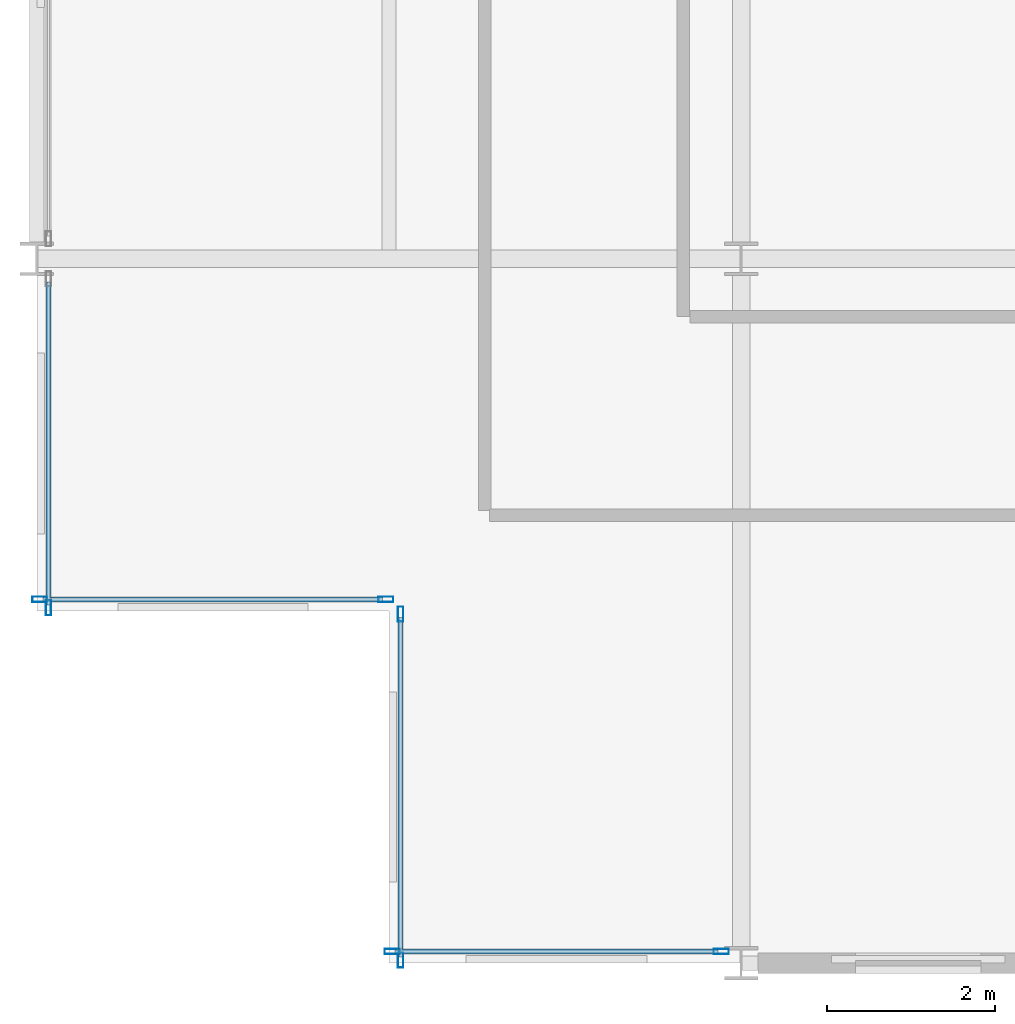
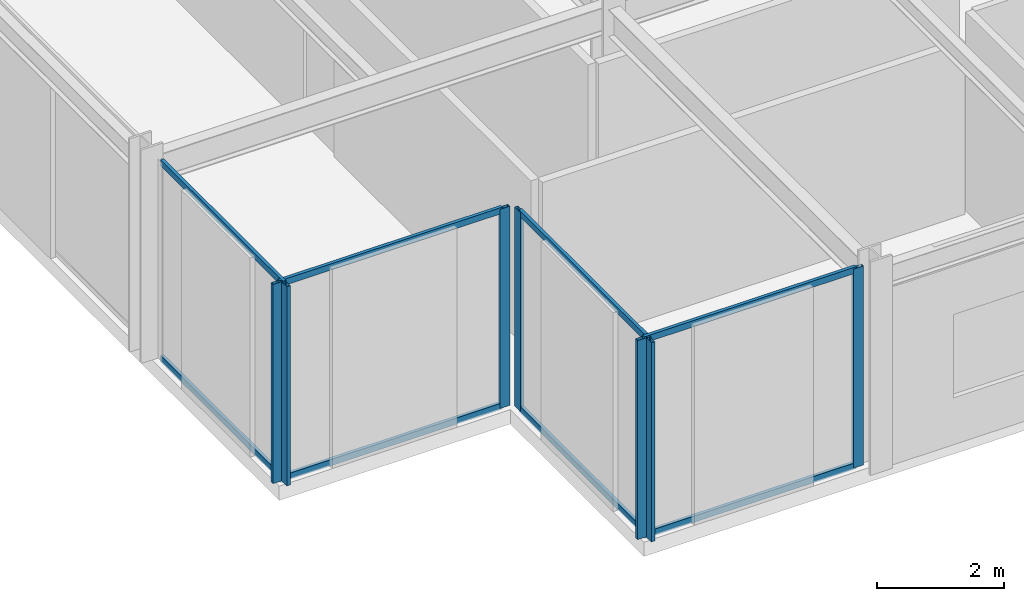
# One storey, part 2 of 29: 15 members, 4 elements without a shape of their own.
"""IFC4 building model written with IfcOpenShell, lengths in metres."""

from ifc_helpers import new_model, si_unit, direction, frame, origin, origin_2d, place, context, subcontext, project, spatial, hollow_rectangle, extrude, material, layer, layer_set, material_profile, profile_set, type_object, element, aggregate, save


model = new_model("IFC4")

# Units and contexts
model_context = context("Model", 3, precision=1e-05, world=origin(), true_north=direction((0.0, 1.0)))
body_context = subcontext(model_context, "Body", "Model", "MODEL_VIEW")
ifc_project = project(units=[si_unit("LENGTHUNIT", "METRE"), si_unit("AREAUNIT", "SQUARE_METRE"), si_unit("VOLUMEUNIT", "CUBIC_METRE"), si_unit("PLANEANGLEUNIT", "RADIAN"), si_unit("MASSUNIT", "GRAM", prefix="KILO")], contexts=[model_context])

# Site, building, storey
site_placement = place(None, origin())
site = spatial("IfcSite", under=ifc_project, at=site_placement, CompositionType="ELEMENT")
building_placement = place(site_placement, origin())
building = spatial("IfcBuilding", under=site, at=building_placement, Name="Nerrivon Quay Data Exchange", CompositionType="ELEMENT")
storey_placement = place(building_placement, frame((0.0, 0.0, 125.39990234375)))
storey = spatial("IfcBuildingStorey", under=building, at=storey_placement, Name="L29", CompositionType="ELEMENT", Elevation=125.39990234375)

# Curtain wall, members
ifc_material = material(Name="Anodised aluminium 6063-T6", Category="aluminium")
ifc_layer = layer(ifc_material, 0.2099609375)
ifc_layer_set = layer_set([ifc_layer], Name="Anodised aluminium 6063-T6")
curtain_wall_type = type_object("IfcCurtainWallType", Name="CW-SYS-02", PredefinedType="NOTDEFINED", material=ifc_layer_set)
curtain_wall_1_placement = place(storey_placement, origin())
curtain_wall_1 = element("IfcCurtainWall", 1, at=curtain_wall_1_placement, inside=storey, type_object=curtain_wall_type, Name="L29 Unitised Curtain Wall 8", PredefinedType="NOTDEFINED")
ifc_material_profile_1 = material_profile(ifc_material, hollow_rectangle(XDim=0.06494140625, YDim=0.179931640625, WallThickness=0.00341796875, at=origin_2d()), Name="ALU-MULL-180x65")
ifc_profile_set_1 = profile_set([ifc_material_profile_1], Name="Anodised aluminium 6063-T6")
member_type_1 = type_object("IfcMemberType", Name="CWM-180x65", PredefinedType="MULLION", material=ifc_profile_set_1)
member_1_placement = place(storey_placement, frame((8.16259765625, 0.139892578125, 0.0), z_axis=(0.0, 0.0, 1.0), x_axis=(0.0, -1.0, 0.0)))
member_1 = element("IfcMember", 2, at=member_1_placement, type_object=member_type_1, Name="CW02 mullion 1", PredefinedType="MULLION", context=body_context, shape_type="SweptSolid", body=[
    extrude(hollow_rectangle(XDim=0.06494140625, YDim=0.179931640625, WallThickness=0.00341796875, at=origin_2d()), origin(), (0.0, 0.0, 1.0), 3.8251953125),
])
member_2_placement = place(storey_placement, frame((4.237548828125, 0.139892578125, 0.0), z_axis=(0.0, 0.0, 1.0), x_axis=(0.0, -1.0, 0.0)))
member_2 = element("IfcMember", 3, at=member_2_placement, type_object=member_type_1, Name="CW02 mullion 2", PredefinedType="MULLION", context=body_context, shape_type="SweptSolid", body=[
    extrude(hollow_rectangle(XDim=0.06494140625, YDim=0.179931640625, WallThickness=0.00341796875, at=origin_2d()), origin(), (0.0, 0.0, 1.0), 3.8251953125),
])

curtain_wall_2_placement = place(storey_placement, origin())
curtain_wall_2 = element("IfcCurtainWall", 4, at=curtain_wall_2_placement, inside=storey, type_object=curtain_wall_type, Name="L29 Unitised Curtain Wall 9", PredefinedType="NOTDEFINED")
member_3_placement = place(storey_placement, frame((4.340087890625, 0.03759765625, 0.0), z_axis=(0.0, 0.0, 1.0), x_axis=(-1.0, 0.0, 0.0)))
member_3 = element("IfcMember", 5, at=member_3_placement, type_object=member_type_1, Name="CW02 mullion 1", PredefinedType="MULLION", context=body_context, shape_type="SweptSolid", body=[
    extrude(hollow_rectangle(XDim=0.06494140625, YDim=0.179931640625, WallThickness=0.00341796875, at=origin_2d()), origin(), (0.0, 0.0, 1.0), 3.8251953125),
])
member_4_placement = place(storey_placement, frame((4.340087890625, 4.16259765625, 0.0), z_axis=(0.0, 0.0, 1.0), x_axis=(-1.0, 0.0, 0.0)))
member_4 = element("IfcMember", 6, at=member_4_placement, type_object=member_type_1, Name="CW02 mullion 2", PredefinedType="MULLION", context=body_context, shape_type="SweptSolid", body=[
    extrude(hollow_rectangle(XDim=0.06494140625, YDim=0.179931640625, WallThickness=0.00341796875, at=origin_2d()), origin(), (0.0, 0.0, 1.0), 3.8251953125),
])

curtain_wall_3_placement = place(storey_placement, origin())
curtain_wall_3 = element("IfcCurtainWall", 7, at=curtain_wall_3_placement, inside=storey, type_object=curtain_wall_type, Name="L29 Unitised Curtain Wall 10", PredefinedType="NOTDEFINED")
member_5_placement = place(storey_placement, frame((4.16259765625, 4.340087890625, 0.0), z_axis=(0.0, 0.0, 1.0), x_axis=(0.0, -1.0, 0.0)))
member_5 = element("IfcMember", 8, at=member_5_placement, type_object=member_type_1, Name="CW02 mullion 1", PredefinedType="MULLION", context=body_context, shape_type="SweptSolid", body=[
    extrude(hollow_rectangle(XDim=0.06494140625, YDim=0.179931640625, WallThickness=0.00341796875, at=origin_2d()), origin(), (0.0, 0.0, 1.0), 3.8251953125),
])
member_6_placement = place(storey_placement, frame((0.03759765625, 4.340087890625, 0.0), z_axis=(0.0, 0.0, 1.0), x_axis=(0.0, -1.0, 0.0)))
member_6 = element("IfcMember", 9, at=member_6_placement, type_object=member_type_1, Name="CW02 mullion 2", PredefinedType="MULLION", context=body_context, shape_type="SweptSolid", body=[
    extrude(hollow_rectangle(XDim=0.06494140625, YDim=0.179931640625, WallThickness=0.00341796875, at=origin_2d()), origin(), (0.0, 0.0, 1.0), 3.8251953125),
])

# Curtain wall, member
curtain_wall_4_placement = place(storey_placement, origin())
curtain_wall_4 = element("IfcCurtainWall", 10, at=curtain_wall_4_placement, inside=storey, type_object=curtain_wall_type, Name="L29 Unitised Curtain Wall 11", PredefinedType="NOTDEFINED")
member_7_placement = place(storey_placement, frame((0.139892578125, 4.237548828125, 0.0), z_axis=(0.0, 0.0, 1.0), x_axis=(-1.0, 0.0, 0.0)))
member_7 = element("IfcMember", 11, at=member_7_placement, type_object=member_type_1, Name="CW02 mullion 1", PredefinedType="MULLION", context=body_context, shape_type="SweptSolid", body=[
    extrude(hollow_rectangle(XDim=0.06494140625, YDim=0.179931640625, WallThickness=0.00341796875, at=origin_2d()), origin(), (0.0, 0.0, 1.0), 3.8251953125),
])

# Member
ifc_material_profile_2 = material_profile(ifc_material, hollow_rectangle(XDim=0.06005859375, YDim=0.1201171875, WallThickness=0.003173828125, at=origin_2d()), Name="ALU-TRAN-120x60")
ifc_profile_set_2 = profile_set([ifc_material_profile_2], Name="Anodised aluminium 6063-T6")
member_type_2 = type_object("IfcMemberType", Name="CWT-120x60", PredefinedType="USERDEFINED", material=ifc_profile_set_2)
member_8_placement = place(storey_placement, frame((8.125, 0.139892578125, 0.03271484375), z_axis=(-1.0, 0.0, 0.0), x_axis=(0.0, -1.0, 0.0)))
member_8 = element("IfcMember", 12, at=member_8_placement, type_object=member_type_2, Name="CW02 transom 1.1", ObjectType="TRANSOM", PredefinedType="USERDEFINED", context=body_context, shape_type="SweptSolid", body=[
    extrude(hollow_rectangle(XDim=0.06005859375, YDim=0.1201171875, WallThickness=0.003173828125, at=origin_2d()), origin(), (0.0, 0.0, 1.0), 3.85009765625),
])

member_9_placement = place(storey_placement, frame((8.125, 0.139892578125, 3.79248046875), z_axis=(-1.0, 0.0, 0.0), x_axis=(0.0, -1.0, 0.0)))
member_9 = element("IfcMember", 13, at=member_9_placement, type_object=member_type_2, Name="CW02 transom 1.2", ObjectType="TRANSOM", PredefinedType="USERDEFINED", context=body_context, shape_type="SweptSolid", body=[
    extrude(hollow_rectangle(XDim=0.06005859375, YDim=0.1201171875, WallThickness=0.003173828125, at=origin_2d()), origin(), (0.0, 0.0, 1.0), 3.85009765625),
])

aggregate(curtain_wall_1, [member_1, member_2, member_8, member_9])

member_10_placement = place(storey_placement, frame((4.340087890625, 0.074951171875, 0.03271484375), z_axis=(0.0, 1.0, 0.0), x_axis=(-1.0, 0.0, 0.0)))
member_10 = element("IfcMember", 14, at=member_10_placement, type_object=member_type_2, Name="CW02 transom 1.1", ObjectType="TRANSOM", PredefinedType="USERDEFINED", context=body_context, shape_type="SweptSolid", body=[
    extrude(hollow_rectangle(XDim=0.06005859375, YDim=0.1201171875, WallThickness=0.003173828125, at=origin_2d()), origin(), (0.0, 0.0, 1.0), 4.050048828125),
])

member_11_placement = place(storey_placement, frame((4.340087890625, 0.074951171875, 3.79248046875), z_axis=(0.0, 1.0, 0.0), x_axis=(-1.0, 0.0, 0.0)))
member_11 = element("IfcMember", 15, at=member_11_placement, type_object=member_type_2, Name="CW02 transom 1.2", ObjectType="TRANSOM", PredefinedType="USERDEFINED", context=body_context, shape_type="SweptSolid", body=[
    extrude(hollow_rectangle(XDim=0.06005859375, YDim=0.1201171875, WallThickness=0.003173828125, at=origin_2d()), origin(), (0.0, 0.0, 1.0), 4.050048828125),
])

aggregate(curtain_wall_2, [member_3, member_4, member_10, member_11])

member_12_placement = place(storey_placement, frame((4.125, 4.340087890625, 0.03271484375), z_axis=(-1.0, 0.0, 0.0), x_axis=(0.0, -1.0, 0.0)))
member_12 = element("IfcMember", 16, at=member_12_placement, type_object=member_type_2, Name="CW02 transom 1.1", ObjectType="TRANSOM", PredefinedType="USERDEFINED", context=body_context, shape_type="SweptSolid", body=[
    extrude(hollow_rectangle(XDim=0.06005859375, YDim=0.1201171875, WallThickness=0.003173828125, at=origin_2d()), origin(), (0.0, 0.0, 1.0), 4.050048828125),
])

member_13_placement = place(storey_placement, frame((4.125, 4.340087890625, 3.79248046875), z_axis=(-1.0, 0.0, 0.0), x_axis=(0.0, -1.0, 0.0)))
member_13 = element("IfcMember", 17, at=member_13_placement, type_object=member_type_2, Name="CW02 transom 1.2", ObjectType="TRANSOM", PredefinedType="USERDEFINED", context=body_context, shape_type="SweptSolid", body=[
    extrude(hollow_rectangle(XDim=0.06005859375, YDim=0.1201171875, WallThickness=0.003173828125, at=origin_2d()), origin(), (0.0, 0.0, 1.0), 4.050048828125),
])

aggregate(curtain_wall_3, [member_5, member_6, member_12, member_13])

member_14_placement = place(storey_placement, frame((0.139892578125, 4.27490234375, 0.03271484375), z_axis=(0.0, 1.0, 0.0), x_axis=(-1.0, 0.0, 0.0)))
member_14 = element("IfcMember", 18, at=member_14_placement, type_object=member_type_2, Name="CW02 transom 1.1", ObjectType="TRANSOM", PredefinedType="USERDEFINED", context=body_context, shape_type="SweptSolid", body=[
    extrude(hollow_rectangle(XDim=0.06005859375, YDim=0.1201171875, WallThickness=0.003173828125, at=origin_2d()), origin(), (0.0, 0.0, 1.0), 3.85009765625),
])

member_15_placement = place(storey_placement, frame((0.139892578125, 4.27490234375, 3.79248046875), z_axis=(0.0, 1.0, 0.0), x_axis=(-1.0, 0.0, 0.0)))
member_15 = element("IfcMember", 19, at=member_15_placement, type_object=member_type_2, Name="CW02 transom 1.2", ObjectType="TRANSOM", PredefinedType="USERDEFINED", context=body_context, shape_type="SweptSolid", body=[
    extrude(hollow_rectangle(XDim=0.06005859375, YDim=0.1201171875, WallThickness=0.003173828125, at=origin_2d()), origin(), (0.0, 0.0, 1.0), 3.85009765625),
])

aggregate(curtain_wall_4, [member_7, member_14, member_15])

save(model, "model.ifc")
